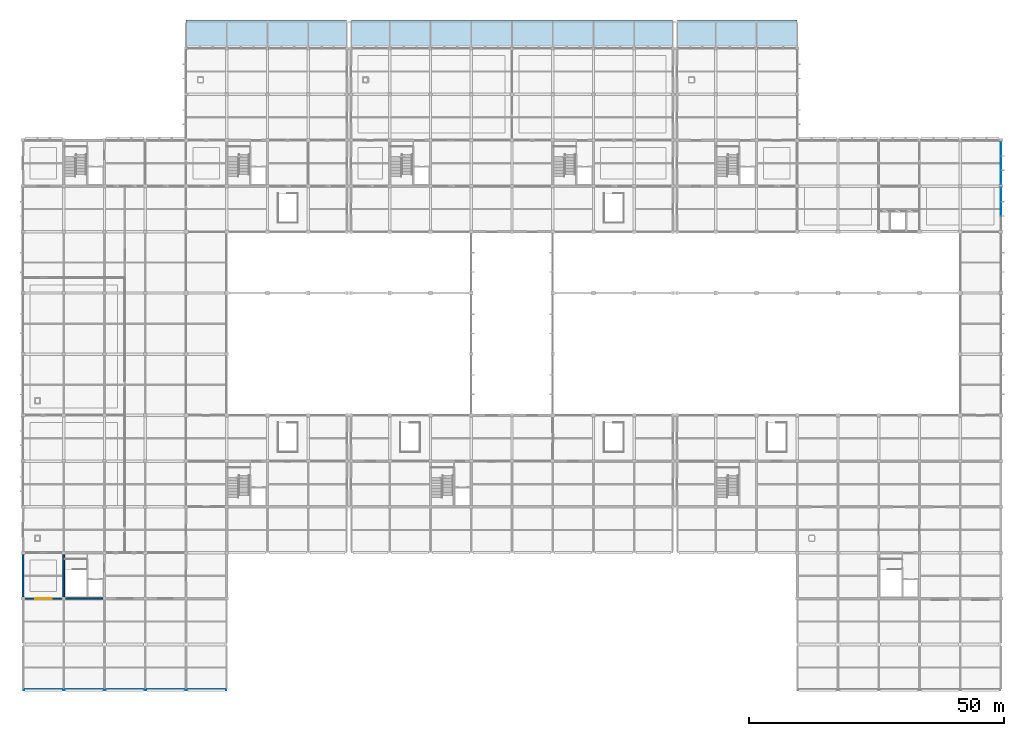
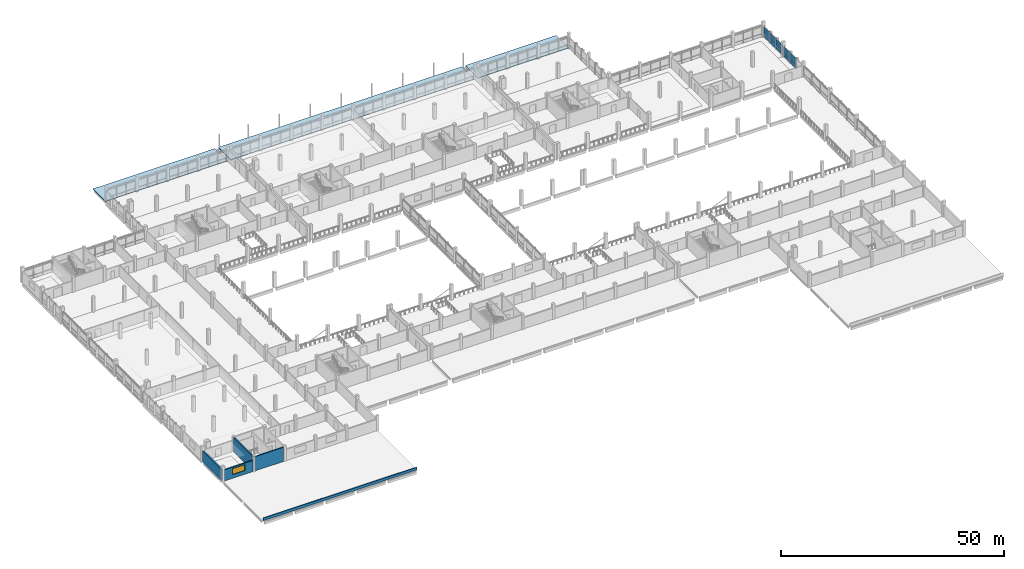
# One storey, part 39 of 57: 10 plates, 5 walls, 3 slabs, 1 window, 1 opening, 2 elements without a shape of their own.
"""IFC4 building model written with IfcOpenShell, lengths in metres."""

import ifcopenshell
import ifcopenshell.guid

model = None  # the IFC model being written
_history = None  # IfcOwnerHistory: only IFC2X3 demands one
_inside = {}  # id of a spatial element -> (the spatial element, [elements in it])
_under = {}  # id of a project, library or spatial element -> (it, [spatial elements below it])
_declared = {}  # id of a project -> (the project, [libraries it declares])
_typed = {}  # id of a type object -> (the type object, [elements of that type])
_made_of = {}  # id of a material, layer set ... -> (it, [elements and type objects made of it])


def new_model(schema):
    """Start an empty IFC model of exactly this schema.

    Asked for "IFC4X3", IfcOpenShell would pick the latest addendum, in which some entities
    have other attributes; the version numbers below select the first issue.
    IFC2X3 requires an IfcOwnerHistory on every rooted entity: one is made here for all.
    """
    global model, _history
    if schema == "IFC4X3":
        model = ifcopenshell.file(schema_version=(4, 3, 0, 0))
    else:
        model = ifcopenshell.file(schema=schema)
    _inside.clear()
    _under.clear()
    _declared.clear()
    _typed.clear()
    _made_of.clear()
    _history = None
    if model.schema == "IFC2X3":
        org = make("IfcOrganization", Name="unknown")
        user = make(
            "IfcPersonAndOrganization",
            ThePerson=make("IfcPerson", FamilyName="unknown"),
            TheOrganization=org,
        )
        app = make(
            "IfcApplication",
            ApplicationDeveloper=org,
            Version="unknown",
            ApplicationFullName="unknown",
            ApplicationIdentifier="unknown",
        )
        _history = make(
            "IfcOwnerHistory",
            OwningUser=user,
            OwningApplication=app,
            ChangeAction="ADDED",
            CreationDate=0,
        )
    return model


def make(cls, **values):
    """One entity of the class cls with the attributes given. An attribute that is None is left unset."""
    return model.create_entity(
        cls, **{name: value for name, value in values.items() if value is not None}
    )


def rooted(cls, **values):
    """An entity with a GlobalId (a new one), such as an element, a storey or a relation."""
    return make(cls, GlobalId=ifcopenshell.guid.new(), OwnerHistory=_history, **values)


def si_unit(unit_type, name, prefix=None):
    """IfcSIUnit, for example si_unit("LENGTHUNIT", "METRE", prefix="MILLI")."""
    return make("IfcSIUnit", UnitType=unit_type, Prefix=prefix, Name=name)


def assignment(units):
    """IfcUnitAssignment: the units of a project."""
    return None if units is None else make("IfcUnitAssignment", Units=units)


def point(xyz):
    """IfcCartesianPoint."""
    return None if xyz is None else make("IfcCartesianPoint", Coordinates=xyz)


def direction(xyz):
    """IfcDirection."""
    return None if xyz is None else make("IfcDirection", DirectionRatios=xyz)


def frame(location, z_axis=None, x_axis=None):
    """IfcAxis2Placement3D, a coordinate frame: its origin and axes. An axis left out is left unset."""
    return make(
        "IfcAxis2Placement3D",
        Location=point(location),
        Axis=direction(z_axis),
        RefDirection=direction(x_axis),
    )


def frame_2d(location, x_axis=None):
    """IfcAxis2Placement2D, a coordinate frame in the plane: its origin and x axis."""
    return make(
        "IfcAxis2Placement2D", Location=point(location), RefDirection=direction(x_axis)
    )


def origin():
    """The frame at (0, 0, 0) with its axes left unset."""
    return frame((0.0, 0.0, 0.0))


def origin_2d():
    """The frame at (0, 0) in the plane with its x axis left unset."""
    return frame_2d((0.0, 0.0))


def place(relative_to, where):
    """IfcLocalPlacement: puts the frame where relative to a parent placement (None: the world)."""
    return make(
        "IfcLocalPlacement", PlacementRelTo=relative_to, RelativePlacement=where
    )


def context(
    kind, dimensions, precision=None, world=None, true_north=None, identifier=None
):
    """IfcGeometricRepresentationContext, for example the 3D "Model" context."""
    return make(
        "IfcGeometricRepresentationContext",
        ContextIdentifier=identifier,
        ContextType=kind,
        CoordinateSpaceDimension=dimensions,
        Precision=precision,
        WorldCoordinateSystem=world,
        TrueNorth=true_north,
    )


def subcontext(parent, identifier, kind, view, scale=None):
    """IfcGeometricRepresentationSubContext, for example "Body" below "Model"."""
    return make(
        "IfcGeometricRepresentationSubContext",
        ContextIdentifier=identifier,
        ContextType=kind,
        ParentContext=parent,
        TargetScale=scale,
        TargetView=view,
    )


def project(units=None, contexts=None):
    """IfcProject with its units and contexts."""
    return rooted(
        "IfcProject",
        Name="project",
        RepresentationContexts=contexts,
        UnitsInContext=assignment(units),
    )


def spatial(cls, under=None, at=None, **own):
    """A site, building, storey or space (cls), placed at a placement, below another one or the project."""
    s = rooted(cls, ObjectPlacement=at, **own)
    if under is not None:
        _under.setdefault(under.id(), (under, []))[1].append(s)
    return s


def polyline(points):
    """IfcPolyline through the points."""
    return make("IfcPolyline", Points=[point(p) for p in points])


def profile(cls, at=None, kind="AREA", **sizes):
    """A parametric profile (cls). Its sizes go by their IFC names, for example OverallWidth=200.0."""
    return make(cls, ProfileType=kind, Position=at, **sizes)


def rectangle(**sizes):
    """IfcRectangleProfileDef."""
    return profile("IfcRectangleProfileDef", **sizes)


def outline(outer, holes=None, kind="AREA"):
    """IfcArbitraryClosedProfileDef: a profile drawn as a closed curve; with holes, ...WithVoids."""
    if holes is None:
        return make("IfcArbitraryClosedProfileDef", ProfileType=kind, OuterCurve=outer)
    return make(
        "IfcArbitraryProfileDefWithVoids",
        ProfileType=kind,
        OuterCurve=outer,
        InnerCurves=holes,
    )


def extrude(swept, where, along, depth):
    """IfcExtrudedAreaSolid: the profile swept, set in the frame where, extruded along a direction by depth."""
    return make(
        "IfcExtrudedAreaSolid",
        SweptArea=swept,
        Position=where,
        ExtrudedDirection=direction(along),
        Depth=depth,
    )


def shape(context_of_items, identifier, shape_type, items):
    """IfcShapeRepresentation: the items that make up one representation, for example the "Body"."""
    return make(
        "IfcShapeRepresentation",
        ContextOfItems=context_of_items,
        RepresentationIdentifier=identifier,
        RepresentationType=shape_type,
        Items=items,
    )


def material(Name=None, Category=None):
    """IfcMaterial."""
    return make("IfcMaterial", Name=Name, Category=Category)


def layer(
    of_material, thickness, ventilated=None, Name=None, Category=None, Priority=None
):
    """IfcMaterialLayer: one layer of a wall or slab, of a material (None: an air gap)."""
    return make(
        "IfcMaterialLayer",
        Material=of_material,
        LayerThickness=thickness,
        IsVentilated=ventilated,
        Name=Name,
        Category=Category,
        Priority=Priority,
    )


def layer_set(layers, Name=None):
    """IfcMaterialLayerSet."""
    return make("IfcMaterialLayerSet", MaterialLayers=layers, LayerSetName=Name)


def made_of(thing, what):
    """Note that an element or type object is made of a material, layer set ...; save() writes the relation."""
    if what is not None:
        _made_of.setdefault(what.id(), (what, []))[1].append(thing)
    return thing


def type_object(cls, material=None, **own):
    """A type object (cls), such as IfcWallType, which elements share."""
    return made_of(rooted(cls, **own), material)


def element(
    cls,
    number,
    at=None,
    inside=None,
    cuts=None,
    type_object=None,
    material=None,
    context=None,
    identifier="Body",
    shape_type=None,
    held_by="IfcProductDefinitionShape",
    body=None,
    shapes=None,
    **own,
):
    """One element of the class cls, such as IfcWall. Its Tag is "e" and its number.

    at: its placement. inside: the storey or other place that contains it. cuts: it is an
    opening in that element (IfcRelVoidsElement). A single representation is given by context,
    identifier, shape_type and body (its items); several are given by shapes. held_by: the class
    of the entity that holds the representations. save() writes the other relations.
    """
    e = rooted(cls, Tag="e%d" % number, ObjectPlacement=at, **own)
    if body is not None:
        shapes = [shape(context, identifier, shape_type, body)]
    if shapes is not None:
        e.Representation = make(held_by, Representations=shapes)
    if inside is not None:
        _inside.setdefault(inside.id(), (inside, []))[1].append(e)
    if cuts is not None:
        rooted(
            "IfcRelVoidsElement", RelatingBuildingElement=cuts, RelatedOpeningElement=e
        )
    if type_object is not None:
        _typed.setdefault(type_object.id(), (type_object, []))[1].append(e)
    return made_of(e, material)


def fill(opening, filler):
    """IfcRelFillsElement: the door or window that sits in an opening."""
    return rooted(
        "IfcRelFillsElement",
        RelatingOpeningElement=opening,
        RelatedBuildingElement=filler,
    )


def aggregate(whole, parts):
    """IfcRelAggregates: a whole, such as a stair, and the parts it consists of."""
    return rooted("IfcRelAggregates", RelatingObject=whole, RelatedObjects=parts)


def save(model, path):
    """Write the relations noted so far, then the file.

    IfcRelAggregates (storeys below a building ...), IfcRelContainedInSpatialStructure (elements
    in a storey), IfcRelDefinesByType, IfcRelAssociatesMaterial and IfcRelDeclares: one each for
    every whole, place, type object, material and project.
    """
    for whole, parts in _under.values():
        aggregate(whole, parts)
    for where, things in _inside.values():
        rooted(
            "IfcRelContainedInSpatialStructure",
            RelatedElements=things,
            RelatingStructure=where,
        )
    for kind, things in _typed.values():
        rooted("IfcRelDefinesByType", RelatedObjects=things, RelatingType=kind)
    for what, things in _made_of.values():
        rooted("IfcRelAssociatesMaterial", RelatedObjects=things, RelatingMaterial=what)
    for by, libraries in _declared.values():
        rooted("IfcRelDeclares", RelatingContext=by, RelatedDefinitions=libraries)
    model.write(path)


model = new_model("IFC4")

# Units and contexts
model_context = context("Model", 3, precision=1e-05, world=origin(), true_north=direction((0.0, 1.0)))
body_context = subcontext(model_context, "Body", "Model", "MODEL_VIEW")
ifc_project = project(units=[si_unit("LENGTHUNIT", "METRE"), si_unit("AREAUNIT", "SQUARE_METRE"), si_unit("VOLUMEUNIT", "CUBIC_METRE"), si_unit("PLANEANGLEUNIT", "RADIAN"), si_unit("MASSUNIT", "GRAM", prefix="KILO"), si_unit("THERMODYNAMICTEMPERATUREUNIT", "KELVIN"), si_unit("POWERUNIT", "WATT")], contexts=[model_context])

# Site, building, storey
site_placement = place(None, origin())
site = spatial("IfcSite", under=ifc_project, at=site_placement, CompositionType="ELEMENT")
building_placement = place(site_placement, origin())
building = spatial("IfcBuilding", under=site, at=building_placement, Name="Kronsvod Quay Wholesale Market", CompositionType="ELEMENT")
storey_placement = place(building_placement, frame((0.0, 0.0, 4.800048828125)))
storey = spatial("IfcBuildingStorey", under=building, at=storey_placement, Name="L01", CompositionType="ELEMENT", Elevation=4.800048828125)

# Curtain wall, plate
ifc_material_1 = material(Name="Thermally broken aluminium and triple low-E glazing", Category="aluminium")
curtain_wall_type = type_object("IfcCurtainWallType", Name="CW_Wing90x33", PredefinedType="NOTDEFINED", material=ifc_material_1)
curtain_wall_1_placement = place(storey_placement, origin())
curtain_wall_1 = element("IfcCurtainWall", 1, at=curtain_wall_1_placement, inside=storey, type_object=curtain_wall_type, Name="CWGY-L01-1920-900", PredefinedType="NOTDEFINED")
ifc_material_2 = material(Name="Insulated aluminium spandrel panel", Category="aluminium")
ifc_layer_1 = layer(ifc_material_2, 0.048095703125)
ifc_layer_set_1 = layer_set([ifc_layer_1], Name="Insulated aluminium spandrel panel")
plate_type_1 = type_object("IfcPlateType", Name="CWPanel_SP2674x775", PredefinedType="CURTAIN_PANEL", material=ifc_layer_set_1)
plate_1_placement = place(storey_placement, frame((192.0, 97.29296875, 0.14990234375), z_axis=(0.0, 0.0, 1.0), x_axis=(0.0, 1.0, 0.0)))
plate_1 = element("IfcPlate", 2, at=plate_1_placement, type_object=plate_type_1, Name="CWGY-L01-1920-900-PS3", PredefinedType="CURTAIN_PANEL", context=body_context, shape_type="SweptSolid", body=[
    extrude(rectangle(XDim=2.674072265625, YDim=0.048095703125, at=origin_2d()), origin(), (0.0, 0.0, 1.0), 0.77490234375),
])

# Curtain wall, plates
curtain_wall_2_placement = place(storey_placement, origin())
curtain_wall_2 = element("IfcCurtainWall", 3, at=curtain_wall_2_placement, inside=storey, type_object=curtain_wall_type, Name="CWGY-L01-1920-990", PredefinedType="NOTDEFINED")
ifc_material_3 = material(Name="Insulated aluminium spandrel panel", Category="aluminium")
ifc_layer_2 = layer(ifc_material_3, 0.048095703125)
ifc_layer_set_2 = layer_set([ifc_layer_2], Name="Insulated aluminium spandrel panel")
plate_type_2 = type_object("IfcPlateType", Name="CWPanel_SP2691x775", PredefinedType="CURTAIN_PANEL", material=ifc_layer_set_2)
plate_2_placement = place(storey_placement, frame((192.0, 100.71533203125, 0.14990234375), z_axis=(0.0, 0.0, 1.0), x_axis=(0.0, 1.0, 0.0)))
plate_2 = element("IfcPlate", 4, at=plate_2_placement, type_object=plate_type_2, Name="CWGY-L01-1920-990-PS1", PredefinedType="CURTAIN_PANEL", context=body_context, shape_type="SweptSolid", body=[
    extrude(rectangle(XDim=2.69091796875, YDim=0.048095703125, at=origin_2d()), origin(), (0.0, 0.0, 1.0), 0.77490234375),
])
plate_3_placement = place(storey_placement, frame((192.0, 106.28466796875, 0.14990234375), z_axis=(0.0, 0.0, 1.0), x_axis=(0.0, 1.0, 0.0)))
plate_3 = element("IfcPlate", 5, at=plate_3_placement, type_object=plate_type_2, Name="CWGY-L01-1920-990-PS3", PredefinedType="CURTAIN_PANEL", context=body_context, shape_type="SweptSolid", body=[
    extrude(rectangle(XDim=2.69091796875, YDim=0.048095703125, at=origin_2d()), origin(), (0.0, 0.0, 1.0), 0.77490234375),
])

# Plate
ifc_material_4 = material(Name="Insulated aluminium spandrel panel", Category="aluminium")
ifc_layer_3 = layer(ifc_material_4, 0.048095703125)
ifc_layer_set_3 = layer_set([ifc_layer_3], Name="Insulated aluminium spandrel panel")
plate_type_3 = type_object("IfcPlateType", Name="CWPanel_SP2712x775", PredefinedType="CURTAIN_PANEL", material=ifc_layer_set_3)
plate_4_placement = place(storey_placement, frame((192.0, 94.52490234375, 0.14990234375), z_axis=(0.0, 0.0, 1.0), x_axis=(0.0, 1.0, 0.0)))
plate_4 = element("IfcPlate", 6, at=plate_4_placement, type_object=plate_type_3, Name="CWGY-L01-1920-900-PS2", PredefinedType="CURTAIN_PANEL", context=body_context, shape_type="SweptSolid", body=[
    extrude(rectangle(XDim=2.7119140625, YDim=0.048095703125, at=origin_2d()), origin(), (0.0, 0.0, 1.0), 0.77490234375),
])

ifc_material_5 = material(Name="Insulated aluminium spandrel panel", Category="aluminium")
ifc_layer_4 = layer(ifc_material_5, 0.048095703125)
ifc_layer_set_4 = layer_set([ifc_layer_4], Name="Insulated aluminium spandrel panel")
plate_type_4 = type_object("IfcPlateType", Name="CWPanel_SP2728x775", PredefinedType="CURTAIN_PANEL", material=ifc_layer_set_4)
plate_5_placement = place(storey_placement, frame((192.0, 103.5, 0.14990234375), z_axis=(0.0, 0.0, 1.0), x_axis=(0.0, 1.0, 0.0)))
plate_5 = element("IfcPlate", 7, at=plate_5_placement, type_object=plate_type_4, Name="CWGY-L01-1920-990-PS2", PredefinedType="CURTAIN_PANEL", context=body_context, shape_type="SweptSolid", body=[
    extrude(rectangle(XDim=2.72802734375, YDim=0.048095703125, at=origin_2d()), origin(), (0.0, 0.0, 1.0), 0.77490234375),
])

ifc_material_6 = material(Name="Triple low-E insulated glazing", Category="glass")
ifc_layer_5 = layer(ifc_material_6, 0.0439453125)
ifc_layer_set_5 = layer_set([ifc_layer_5], Name="Triple low-E insulated glazing")
plate_type_5 = type_object("IfcPlateType", Name="CWPanel_VS2674x1825", PredefinedType="CURTAIN_PANEL", material=ifc_layer_set_5)
plate_6_placement = place(storey_placement, frame((192.0, 97.29296875, 1.0751953125), z_axis=(0.0, 0.0, 1.0), x_axis=(0.0, 1.0, 0.0)))
plate_6 = element("IfcPlate", 8, at=plate_6_placement, type_object=plate_type_5, Name="CWGY-L01-1920-900-PV3", PredefinedType="CURTAIN_PANEL", context=body_context, shape_type="SweptSolid", body=[
    extrude(rectangle(XDim=2.674072265625, YDim=0.0439453125, at=origin_2d()), origin(), (0.0, 0.0, 1.0), 1.824951171875),
])

ifc_material_7 = material(Name="Triple low-E insulated glazing", Category="glass")
ifc_layer_6 = layer(ifc_material_7, 0.0439453125)
ifc_layer_set_6 = layer_set([ifc_layer_6], Name="Triple low-E insulated glazing")
plate_type_6 = type_object("IfcPlateType", Name="CWPanel_VS2691x1825", PredefinedType="CURTAIN_PANEL", material=ifc_layer_set_6)
plate_7_placement = place(storey_placement, frame((192.0, 100.71533203125, 1.0751953125), z_axis=(0.0, 0.0, 1.0), x_axis=(0.0, 1.0, 0.0)))
plate_7 = element("IfcPlate", 9, at=plate_7_placement, type_object=plate_type_6, Name="CWGY-L01-1920-990-PV1", PredefinedType="CURTAIN_PANEL", context=body_context, shape_type="SweptSolid", body=[
    extrude(rectangle(XDim=2.69091796875, YDim=0.0439453125, at=origin_2d()), origin(), (0.0, 0.0, 1.0), 1.824951171875),
])

plate_8_placement = place(storey_placement, frame((192.0, 106.28466796875, 1.0751953125), z_axis=(0.0, 0.0, 1.0), x_axis=(0.0, 1.0, 0.0)))
plate_8 = element("IfcPlate", 10, at=plate_8_placement, type_object=plate_type_6, Name="CWGY-L01-1920-990-PV3", PredefinedType="CURTAIN_PANEL", context=body_context, shape_type="SweptSolid", body=[
    extrude(rectangle(XDim=2.69091796875, YDim=0.0439453125, at=origin_2d()), origin(), (0.0, 0.0, 1.0), 1.824951171875),
])

ifc_material_8 = material(Name="Triple low-E insulated glazing", Category="glass")
ifc_layer_7 = layer(ifc_material_8, 0.0439453125)
ifc_layer_set_7 = layer_set([ifc_layer_7], Name="Triple low-E insulated glazing")
plate_type_7 = type_object("IfcPlateType", Name="CWPanel_VS2712x1825", PredefinedType="CURTAIN_PANEL", material=ifc_layer_set_7)
plate_9_placement = place(storey_placement, frame((192.0, 94.52490234375, 1.0751953125), z_axis=(0.0, 0.0, 1.0), x_axis=(0.0, 1.0, 0.0)))
plate_9 = element("IfcPlate", 11, at=plate_9_placement, type_object=plate_type_7, Name="CWGY-L01-1920-900-PV2", PredefinedType="CURTAIN_PANEL", context=body_context, shape_type="SweptSolid", body=[
    extrude(rectangle(XDim=2.7119140625, YDim=0.0439453125, at=origin_2d()), origin(), (0.0, 0.0, 1.0), 1.824951171875),
])

aggregate(curtain_wall_1, [plate_4, plate_9, plate_1, plate_6])

ifc_material_9 = material(Name="Triple low-E insulated glazing", Category="glass")
ifc_layer_8 = layer(ifc_material_9, 0.0439453125)
ifc_layer_set_8 = layer_set([ifc_layer_8], Name="Triple low-E insulated glazing")
plate_type_8 = type_object("IfcPlateType", Name="CWPanel_VS2728x1825", PredefinedType="CURTAIN_PANEL", material=ifc_layer_set_8)
plate_10_placement = place(storey_placement, frame((192.0, 103.5, 1.0751953125), z_axis=(0.0, 0.0, 1.0), x_axis=(0.0, 1.0, 0.0)))
plate_10 = element("IfcPlate", 12, at=plate_10_placement, type_object=plate_type_8, Name="CWGY-L01-1920-990-PV2", PredefinedType="CURTAIN_PANEL", context=body_context, shape_type="SweptSolid", body=[
    extrude(rectangle(XDim=2.72802734375, YDim=0.0439453125, at=origin_2d()), origin(), (0.0, 0.0, 1.0), 1.824951171875),
])

aggregate(curtain_wall_2, [plate_2, plate_7, plate_5, plate_10, plate_3, plate_8])

# Slabs
ifc_material_10 = material(Name="Precast concrete C40/50", Category="concrete")
ifc_layer_9 = layer(ifc_material_10, 0.18994140625)
ifc_layer_set_9 = layer_set([ifc_layer_9], Name="Precast concrete C40/50")
slab_type = type_object("IfcSlabType", Name="Slab_CanopyRoof190", PredefinedType="ROOF", material=ifc_layer_set_9)
slab_1_placement = place(storey_placement, frame((0.0, 0.0, -0.18994140625)))
element("IfcSlab", 13, at=slab_1_placement, inside=storey, type_object=slab_type, Name="SLB-CAN-W", PredefinedType="ROOF", context=body_context, shape_type="SweptSolid", body=[
    extrude(outline(polyline([(32.0, 126.0), (63.550048828125, 126.0), (63.550048828125, 131.60009765625), (32.0, 131.60009765625), (32.0, 126.0)])), origin(), (0.0, 0.0, 1.0), 0.18994140625),
])
slab_2_placement = place(storey_placement, frame((0.0, 0.0, -0.18994140625)))
element("IfcSlab", 14, at=slab_2_placement, inside=storey, type_object=slab_type, Name="SLB-CAN-C", PredefinedType="ROOF", context=body_context, shape_type="SweptSolid", body=[
    extrude(outline(polyline([(64.449951171875, 126.0), (127.550048828125, 126.0), (127.550048828125, 131.60009765625), (64.449951171875, 131.60009765625), (64.449951171875, 126.0)])), origin(), (0.0, 0.0, 1.0), 0.18994140625),
])
slab_3_placement = place(storey_placement, frame((0.0, 0.0, -0.18994140625)))
element("IfcSlab", 15, at=slab_3_placement, inside=storey, type_object=slab_type, Name="SLB-CAN-E", PredefinedType="ROOF", context=body_context, shape_type="SweptSolid", body=[
    extrude(outline(polyline([(128.449951171875, 126.0), (152.0, 126.0), (152.0, 131.60009765625), (128.449951171875, 131.60009765625), (128.449951171875, 126.0)])), origin(), (0.0, 0.0, 1.0), 0.18994140625),
])

# Walls
ifc_material_11 = material(Name="Concrete C35/45", Category="concrete")
ifc_layer_10 = layer(ifc_material_11, 0.300048828125)
ifc_layer_set_10 = layer_set([ifc_layer_10], Name="Concrete C35/45")
wall_type_1 = type_object("IfcWallType", Name="Wall_CoreShear300", PredefinedType="SHEAR", material=ifc_layer_set_10)
wall_1_placement = place(storey_placement, frame((8.294921875, 18.0, 0.0), z_axis=(0.0, 0.0, 1.0), x_axis=(1.0, 0.0, 0.0)))
element("IfcWall", 16, at=wall_1_placement, inside=storey, type_object=wall_type_1, Name="CW-C01-L01-S", PredefinedType="SHEAR", context=body_context, shape_type="SweptSolid", body=[
    extrude(rectangle(XDim=7.41015625, YDim=0.300048828125, at=frame_2d((3.705078125, 0.0))), origin(), (0.0, 0.0, 1.0), 3.89501953125),
])
wall_2_placement = place(storey_placement, frame((8.0, 18.294921875, 0.0), z_axis=(0.0, 0.0, 1.0), x_axis=(0.0, 1.0, 0.0)))
element("IfcWall", 17, at=wall_2_placement, inside=storey, type_object=wall_type_1, Name="CW-C01-L01-W", PredefinedType="SHEAR", context=body_context, shape_type="SweptSolid", body=[
    extrude(rectangle(XDim=8.41015625, YDim=0.300048828125, at=frame_2d((4.205078125, 0.0))), origin(), (0.0, 0.0, 1.0), 3.89501953125),
])
ifc_material_12 = material(Name="Precast concrete C40/50", Category="concrete")
ifc_layer_11 = layer(ifc_material_12, 0.340087890625)
ifc_layer_set_11 = layer_set([ifc_layer_11], Name="Precast concrete C40/50")
wall_type_2 = type_object("IfcWallType", Name="Wall_ExtColdSandwich340", PredefinedType="SOLIDWALL", material=ifc_layer_set_11)
wall_3_placement = place(storey_placement, frame((0.0, 26.705078125, 0.0), z_axis=(0.0, 0.0, 1.0), x_axis=(0.0, -1.0, 0.0)))
element("IfcWall", 18, at=wall_3_placement, inside=storey, type_object=wall_type_2, Name="EW-Y-L01-0105", PredefinedType="SOLIDWALL", context=body_context, shape_type="SweptSolid", body=[
    extrude(rectangle(XDim=8.41015625, YDim=0.340087890625, at=frame_2d((4.205078125, 0.0))), origin(), (0.0, 0.0, 1.0), 3.050048828125),
])

# Wall, opening, window
ifc_material_13 = material(Name="Precast concrete C40/50", Category="concrete")
ifc_layer_12 = layer(ifc_material_13, 0.300048828125)
ifc_layer_set_12 = layer_set([ifc_layer_12], Name="Precast concrete C40/50")
wall_type_3 = type_object("IfcWallType", Name="Wall_ExtPrecast300", PredefinedType="SOLIDWALL", material=ifc_layer_set_12)
wall_4_placement = place(storey_placement, frame((0.39501953125, 18.0, 0.0), z_axis=(0.0, 0.0, 1.0), x_axis=(1.0, 0.0, 0.0)))
wall_4 = element("IfcWall", 19, at=wall_4_placement, inside=storey, type_object=wall_type_3, Name="EW-X-L01-0099", PredefinedType="SOLIDWALL", context=body_context, shape_type="SweptSolid", body=[
    extrude(rectangle(XDim=7.31005859375, YDim=0.300048828125, at=frame_2d((3.655029296875, 0.0))), origin(), (0.0, 0.0, 1.0), 3.050048828125),
])
opening_placement = place(wall_4_placement, frame((2.054931640625, 0.0, 1.0)))
opening = element("IfcOpeningElement", 20, at=opening_placement, cuts=wall_4, Name="Opening WIN-03", PredefinedType="OPENING", context=body_context, shape_type="SweptSolid", body=[
    extrude(rectangle(XDim=3.199951171875, YDim=1.64990234375, at=frame_2d((1.60009765625, 0.824951171875))), frame((0.0, 0.16015625, 0.0), z_axis=(0.0, -1.0, 0.0), x_axis=(1.0, 0.0, 0.0)), (0.0, 0.0, 1.0), 0.320068359375),
])
ifc_material_14 = material(Name="Thermally broken aluminium and triple low-E glazing", Category="aluminium")
window_type = type_object("IfcWindowType", Name="Win_W03", PartitioningType="TRIPLE_PANEL_HORIZONTAL", PredefinedType="WINDOW", material=ifc_material_14)
window_placement = place(opening_placement, origin())
window = element("IfcWindow", 21, at=window_placement, inside=storey, type_object=window_type, Name="WIN-L01-0003", OverallHeight=1.64990234375, OverallWidth=3.199951171875, PartitioningType="SINGLE_PANEL", PredefinedType="WINDOW", context=body_context, shape_type="SweptSolid", body=[
    extrude(rectangle(XDim=3.199951171875, YDim=1.64990234375, at=frame_2d((1.60009765625, 0.824951171875))), frame((0.0, 0.030029296875, 0.0), z_axis=(0.0, -1.0, 0.0), x_axis=(1.0, 0.0, 0.0)), (0.0, 0.0, 1.0), 0.06005859375),
])
fill(opening, window)

# Wall
ifc_material_15 = material(Name="Precast concrete C40/50", Category="concrete")
ifc_layer_13 = layer(ifc_material_15, 0.179931640625)
ifc_layer_set_13 = layer_set([ifc_layer_13], Name="Precast concrete C40/50")
wall_type_4 = type_object("IfcWallType", Name="Wall_Parapet180", PredefinedType="PARAPET", material=ifc_layer_set_13)
wall_5_placement = place(storey_placement, frame((0.10009765625, 0.10009765625, 0.0), z_axis=(0.0, 0.0, 1.0), x_axis=(1.0, 0.0, 0.0)))
element("IfcWall", 22, at=wall_5_placement, inside=storey, type_object=wall_type_4, Name="PRP-DK-SW", PredefinedType="PARAPET", context=body_context, shape_type="SweptSolid", body=[
    extrude(rectangle(XDim=39.7998046875, YDim=0.179931640625, at=frame_2d((19.89990234375, 0.0))), origin(), (0.0, 0.0, 1.0), 0.75),
])

save(model, "model.ifc")
